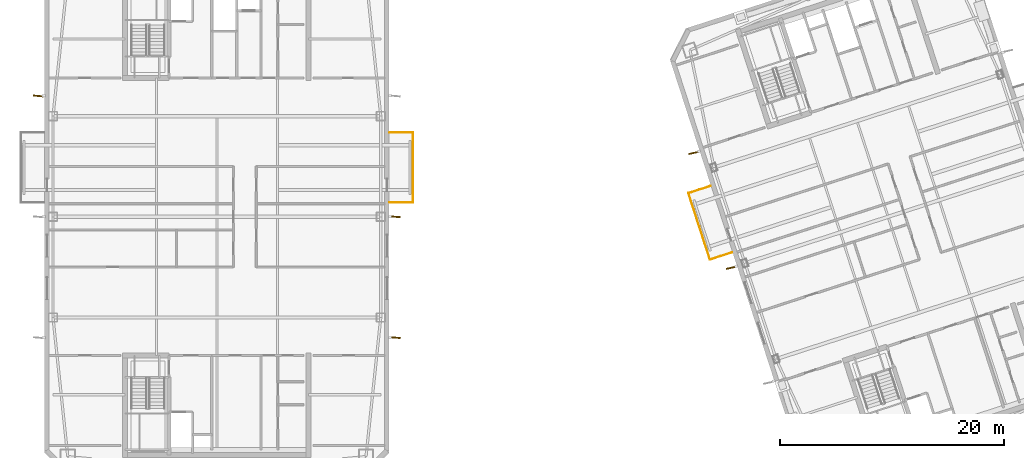
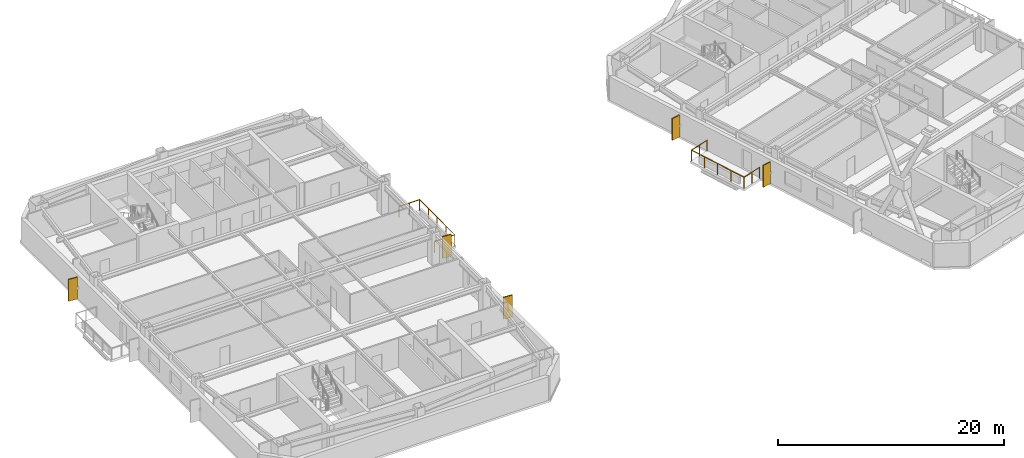
# One storey, part 15 of 18: 5 shading devices, 2 railings.
"""IFC4 building model written with IfcOpenShell, lengths in metres."""

from ifc_helpers import new_model, si_unit, direction, frame, origin, origin_2d, place, context, subcontext, project, spatial, rectangle, circle, extrude, material, layer, layer_set, type_object, element, save


model = new_model("IFC4")

# Units and contexts
model_context = context("Model", 3, precision=1e-05, world=origin(), true_north=direction((0.0, 1.0)))
body_context = subcontext(model_context, "Body", "Model", "MODEL_VIEW")
ifc_project = project(units=[si_unit("LENGTHUNIT", "METRE"), si_unit("AREAUNIT", "SQUARE_METRE"), si_unit("VOLUMEUNIT", "CUBIC_METRE"), si_unit("PLANEANGLEUNIT", "RADIAN"), si_unit("MASSUNIT", "GRAM", prefix="KILO")], contexts=[model_context])

# Site, building, storey
site_placement = place(None, origin())
site = spatial("IfcSite", under=ifc_project, at=site_placement, CompositionType="ELEMENT")
building_placement = place(site_placement, origin())
building = spatial("IfcBuilding", under=site, at=building_placement, Name="Qiaolan Cultural Towers", CompositionType="ELEMENT")
storey_placement = place(building_placement, frame((0.0, 0.0, 226.550048828125)))
storey = spatial("IfcBuildingStorey", under=building, at=storey_placement, Name="L61", CompositionType="ELEMENT", Elevation=226.550048828125)

# Railings
ifc_material_1 = material(Name="Laminated SentryGlas & Stainless Steel S31608 Balustrade", Category="steel")
railing_type = type_object("IfcRailingType", Name="GRD-TERR-1200", PredefinedType="BALUSTRADE", material=ifc_material_1)
railing_1_placement = place(storey_placement, frame((45.449951171875, 35.280029296875, 0.0)))
element("IfcRailing", 1, at=railing_1_placement, inside=storey, type_object=railing_type, Name="L61 T1 Tree Balcony Guardrail E", PredefinedType="BALUSTRADE", context=body_context, shape_type="SweptSolid", body=[
    extrude(circle(Radius=0.02392578125, at=origin_2d()), frame((0.0, 0.0, 1.17578125), z_axis=(1.0, 0.0, 0.0), x_axis=(0.0, 1.0, 0.0)), (0.0, 0.0, 1.0), 2.070068359375),
    extrude(circle(Radius=0.02392578125, at=origin_2d()), frame((2.070068359375, 0.0, 1.17578125), z_axis=(0.0, 1.0, 0.0), x_axis=(-1.0, 0.0, 0.0)), (0.0, 0.0, 1.0), 6.239990234375),
    extrude(circle(Radius=0.02392578125, at=origin_2d()), frame((2.070068359375, 6.239990234375, 1.17578125), z_axis=(-1.0, 0.0, 0.0), x_axis=(0.0, -1.0, 0.0)), (0.0, 0.0, 1.0), 2.070068359375),
    extrude(circle(Radius=0.02099609375, at=origin_2d()), origin(), (0.0, 0.0, 1.0), 1.15185546875),
    extrude(circle(Radius=0.02099609375, at=origin_2d()), frame((1.03515625, 0.0, 0.0)), (0.0, 0.0, 1.0), 1.15185546875),
    extrude(circle(Radius=0.02099609375, at=origin_2d()), frame((2.070068359375, 0.0, 0.0)), (0.0, 0.0, 1.0), 1.15185546875),
    extrude(circle(Radius=0.02099609375, at=origin_2d()), frame((2.070068359375, 1.56005859375, 0.0)), (0.0, 0.0, 1.0), 1.15185546875),
    extrude(circle(Radius=0.02099609375, at=origin_2d()), frame((2.070068359375, 3.1201171875, 0.0)), (0.0, 0.0, 1.0), 1.15185546875),
    extrude(circle(Radius=0.02099609375, at=origin_2d()), frame((2.070068359375, 4.679931640625, 0.0)), (0.0, 0.0, 1.0), 1.15185546875),
    extrude(circle(Radius=0.02099609375, at=origin_2d()), frame((2.070068359375, 6.239990234375, 0.0)), (0.0, 0.0, 1.0), 1.15185546875),
    extrude(circle(Radius=0.02099609375, at=origin_2d()), frame((1.03515625, 6.239990234375, 0.0)), (0.0, 0.0, 1.0), 1.15185546875),
    extrude(circle(Radius=0.02099609375, at=origin_2d()), frame((0.0, 6.239990234375, 0.0)), (0.0, 0.0, 1.0), 1.15185546875),
])
railing_2_placement = place(storey_placement, frame((76.052001953125, 30.81396484375, 0.0)))
element("IfcRailing", 2, at=railing_2_placement, inside=storey, type_object=railing_type, Name="L61 T2 Tree Balcony Guardrail W", PredefinedType="BALUSTRADE", context=body_context, shape_type="SweptSolid", body=[
    extrude(circle(Radius=0.02392578125, at=origin_2d()), frame((0.0, 0.0, 1.17578125), z_axis=(-0.951061799618, -0.309000733507, 0.0), x_axis=(0.309000733507, -0.951061799618, 0.0)), (0.0, 0.0, 1.0), 2.070068359375),
    extrude(circle(Radius=0.02392578125, at=origin_2d()), frame((-1.96875, -0.6396484375, 1.17578125), z_axis=(-0.30901175762, 0.951058217804, 0.0), x_axis=(-0.951058217804, -0.30901175762, 0.0)), (0.0, 0.0, 1.0), 6.239990234375),
    extrude(circle(Radius=0.02392578125, at=origin_2d()), frame((-3.89697265625, 5.294921875, 1.17578125), z_axis=(0.951050536716, 0.309035397023, 0.0), x_axis=(-0.309035397023, 0.951050536716, 0.0)), (0.0, 0.0, 1.0), 2.06982421875),
    extrude(circle(Radius=0.02099609375, at=origin_2d()), origin(), (0.0, 0.0, 1.0), 1.15185546875),
    extrude(circle(Radius=0.02099609375, at=origin_2d()), frame((-0.984375, -0.31982421875, 0.0)), (0.0, 0.0, 1.0), 1.15185546875),
    extrude(circle(Radius=0.02099609375, at=origin_2d()), frame((-1.96875, -0.6396484375, 0.0)), (0.0, 0.0, 1.0), 1.15185546875),
    extrude(circle(Radius=0.02099609375, at=origin_2d()), frame((-2.45068359375, 0.843994140625, 0.0)), (0.0, 0.0, 1.0), 1.15185546875),
    extrude(circle(Radius=0.02099609375, at=origin_2d()), frame((-2.932861328125, 2.32763671875, 0.0)), (0.0, 0.0, 1.0), 1.15185546875),
    extrude(circle(Radius=0.02099609375, at=origin_2d()), frame((-3.4150390625, 3.811279296875, 0.0)), (0.0, 0.0, 1.0), 1.15185546875),
    extrude(circle(Radius=0.02099609375, at=origin_2d()), frame((-3.89697265625, 5.294921875, 0.0)), (0.0, 0.0, 1.0), 1.15185546875),
    extrude(circle(Radius=0.02099609375, at=origin_2d()), frame((-2.91259765625, 5.61474609375, 0.0)), (0.0, 0.0, 1.0), 1.15185546875),
    extrude(circle(Radius=0.02099609375, at=origin_2d()), frame((-1.928466796875, 5.9345703125, 0.0)), (0.0, 0.0, 1.0), 1.15185546875),
])

# Shading devices
ifc_material_2 = material(Name="Light Limestone Precast Vertical Fin", Category="masonry")
ifc_layer = layer(ifc_material_2, 0.1201171875)
ifc_layer_set = layer_set([ifc_layer], Name="Light Limestone Precast Vertical Fin")
shading_device_type = type_object("IfcShadingDeviceType", Name="SHD-FIN-WHITE", PredefinedType="USERDEFINED", material=ifc_layer_set)
for number, where, z_axis, x_axis, name in (
    (3, (14.0400390625, 44.800048828125, 0.099853515625), (0.0, 0.0, 1.0), (0.995993912618, -0.089421060319, 0.0), "L61 T1 Expressive Precast Vertical Fin W3"),
    (4, (45.9599609375, 23.199951171875, 0.099853515625), (0.0, 0.0, 1.0), (0.995993912618, -0.089421060319, 0.0), "L61 T1 Expressive Precast Vertical Fin E1"),
    (5, (45.9599609375, 34.0, 0.099853515625), (0.0, 0.0, 1.0), (0.995993912618, -0.089421060319, 0.0), "L61 T1 Expressive Precast Vertical Fin E2"),
    (6, (75.96240234375, 29.43896484375, 0.099853515625), (0.0, 0.0, 1.0), (0.974879128079, 0.222734563182, 0.0), "L61 T2 Expressive Precast Vertical Fin W2"),
    (7, (72.625, 39.710205078125, 0.099853515625), (0.0, 0.0, 1.0), (0.974879128079, 0.222734563182, 0.0), "L61 T2 Expressive Precast Vertical Fin W3"),
):
    element("IfcShadingDevice", number, at=place(storey_placement, frame(where, z_axis=z_axis, x_axis=x_axis)), inside=storey, type_object=shading_device_type, Name=name, ObjectType="FIN", PredefinedType="USERDEFINED", context=body_context, shape_type="SweptSolid", body=[
        extrude(rectangle(XDim=0.89990234375, YDim=0.1201171875, at=origin_2d()), origin(), (0.0, 0.0, 1.0), 2.35009765625),
    ])

save(model, "model.ifc")
